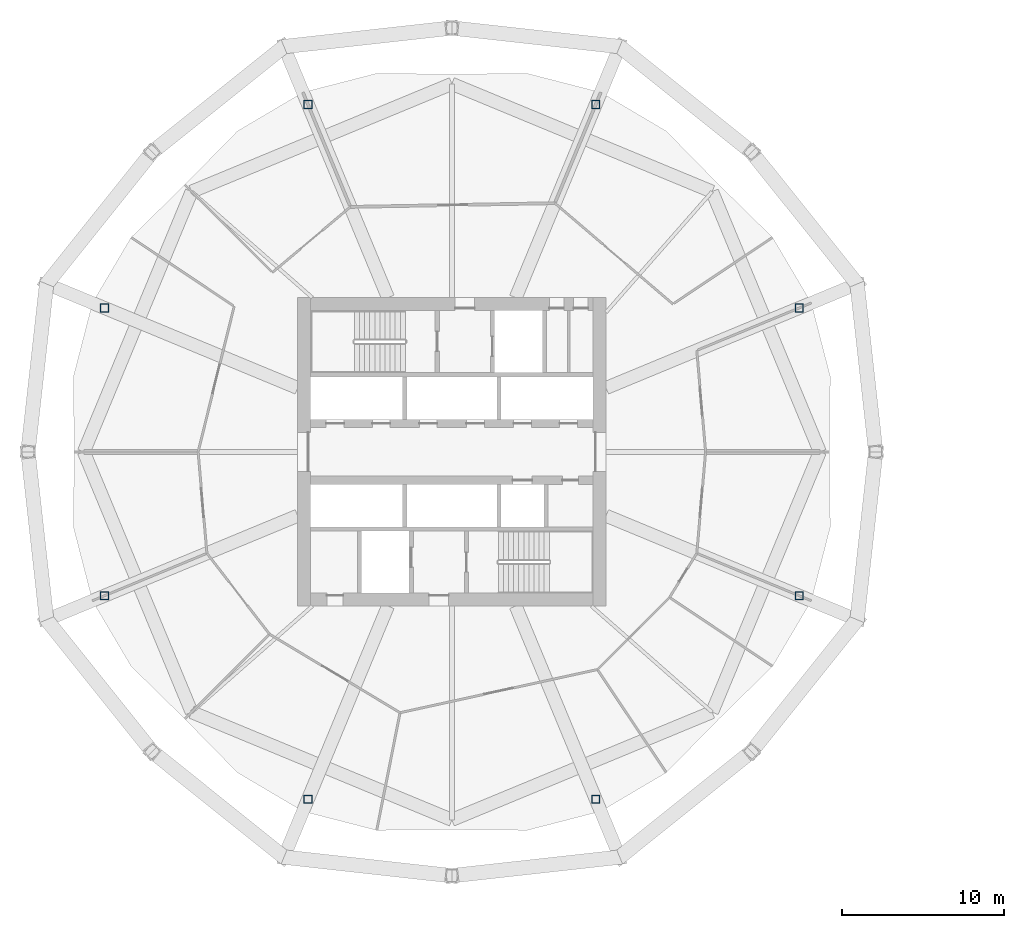
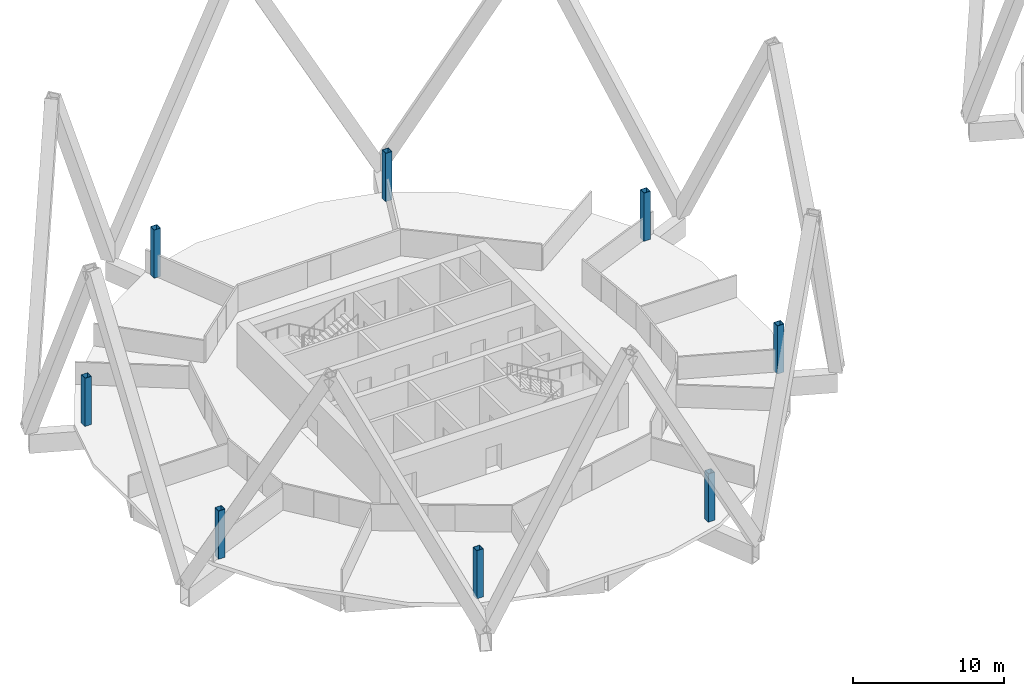
# One storey, part 1 of 9: 8 columns.
"""IFC4 building model written with IfcOpenShell, lengths in metres."""

from ifc_helpers import new_model, si_unit, direction, frame, origin, origin_2d, place, context, subcontext, project, spatial, hollow_rectangle, extrude, material, material_profile, profile_set, type_object, element, save


model = new_model("IFC4")

# Units and contexts
model_context = context("Model", 3, precision=1e-05, world=origin(), true_north=direction((0.0, 1.0)))
body_context = subcontext(model_context, "Body", "Model", "MODEL_VIEW")
ifc_project = project(units=[si_unit("LENGTHUNIT", "METRE"), si_unit("AREAUNIT", "SQUARE_METRE"), si_unit("VOLUMEUNIT", "CUBIC_METRE"), si_unit("PLANEANGLEUNIT", "RADIAN"), si_unit("MASSUNIT", "GRAM", prefix="KILO")], contexts=[model_context])

# Site, building, storey
site_placement = place(None, origin())
site = spatial("IfcSite", under=ifc_project, at=site_placement, CompositionType="ELEMENT")
building_placement = place(site_placement, origin())
building = spatial("IfcBuilding", under=site, at=building_placement, Name="Ogive Gate Towers", CompositionType="ELEMENT")
storey_placement = place(building_placement, frame((0.0, 0.0, 95.699951171875)))
storey = spatial("IfcBuildingStorey", under=building, at=storey_placement, Name="L22", CompositionType="ELEMENT", Elevation=95.699951171875)

# Columns
ifc_material = material(Name="Steel SM460", Category="steel")
ifc_material_profile = material_profile(ifc_material, hollow_rectangle(XDim=0.5, YDim=0.5, WallThickness=0.030029296875, at=origin_2d()), Name="BX 500x500x30")
ifc_profile_set = profile_set([ifc_material_profile], Name="Steel SM460")
column_type = type_object("IfcColumnType", Name="Perimeter post BX 500x500x30", PredefinedType="COLUMN", material=ifc_profile_set)
for number, where, z_axis, x_axis, name in (
    (1, (-14.60302734375, 8.863037109375, 0.0), (0.0, 0.0, 1.0), (1.0, 0.0, 0.0), "T1/L22/SCL001"),
    (2, (-27.136962890625, 21.39697265625, 0.0), (0.0, 0.0, 1.0), (1.0, 0.0, 0.0), "T1/L22/SCL002"),
    (3, (-44.863037109375, 21.39697265625, 0.0), (0.0, 0.0, 1.0), (1.0, 0.0, 0.0), "T1/L22/SCL003"),
    (4, (-57.39697265625, 8.863037109375, 0.0), (0.0, 0.0, 1.0), (1.0, 0.0, 0.0), "T1/L22/SCL004"),
    (5, (-57.39697265625, -8.863037109375, 0.0), (0.0, 0.0, 1.0), (1.0, 0.0, 0.0), "T1/L22/SCL005"),
    (6, (-44.863037109375, -21.39697265625, 0.0), (0.0, 0.0, 1.0), (1.0, 0.0, 0.0), "T1/L22/SCL006"),
    (7, (-27.136962890625, -21.39697265625, 0.0), (0.0, 0.0, 1.0), (1.0, 0.0, 0.0), "T1/L22/SCL007"),
    (8, (-14.60302734375, -8.863037109375, 0.0), (0.0, 0.0, 1.0), (1.0, 0.0, 0.0), "T1/L22/SCL008"),
):
    element("IfcColumn", number, at=place(storey_placement, frame(where, z_axis=z_axis, x_axis=x_axis)), inside=storey, type_object=column_type, Name=name, PredefinedType="COLUMN", context=body_context, shape_type="SweptSolid", body=[
        extrude(hollow_rectangle(XDim=0.5, YDim=0.5, WallThickness=0.030029296875, at=origin_2d()), origin(), (0.0, 0.0, 1.0), 3.900146484375),
    ])

save(model, "model.ifc")
